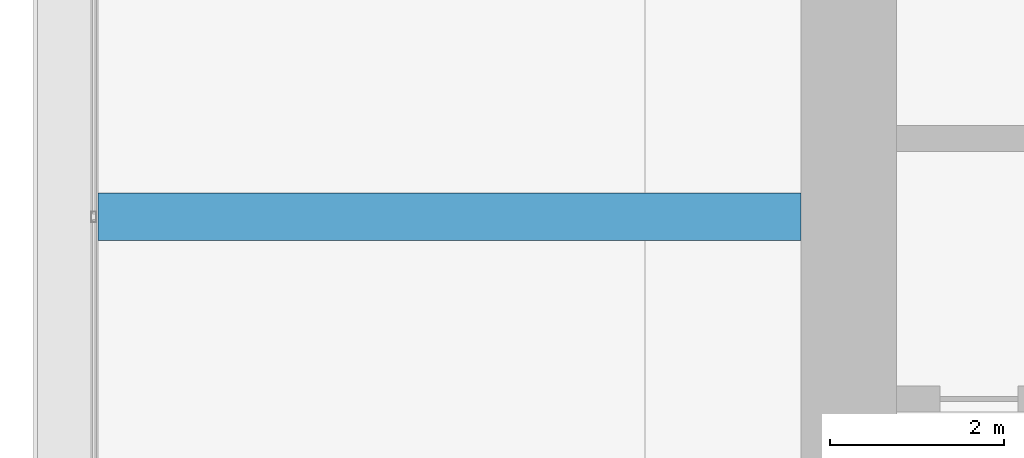
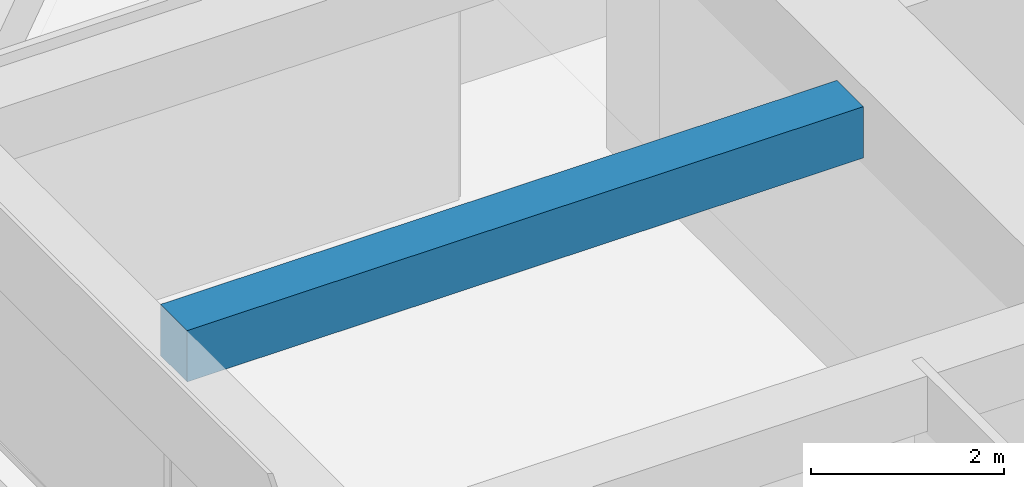
# One storey, part 17 of 45: 1 beam.
"""IFC4 building model written with IfcOpenShell, lengths in metres."""

from ifc_helpers import new_model, si_unit, direction, frame, origin, origin_2d, place, context, subcontext, project, spatial, rectangle, extrude, material, material_profile, profile_set, type_object, element, save


model = new_model("IFC4")

# Units and contexts
model_context = context("Model", 3, precision=1e-05, world=origin(), true_north=direction((0.0, 1.0)))
body_context = subcontext(model_context, "Body", "Model", "MODEL_VIEW")
ifc_project = project(units=[si_unit("LENGTHUNIT", "METRE"), si_unit("AREAUNIT", "SQUARE_METRE"), si_unit("VOLUMEUNIT", "CUBIC_METRE"), si_unit("PLANEANGLEUNIT", "RADIAN"), si_unit("MASSUNIT", "GRAM", prefix="KILO")], contexts=[model_context])

# Site, building, storey
site_placement = place(None, origin())
site = spatial("IfcSite", under=ifc_project, at=site_placement, CompositionType="ELEMENT")
building_placement = place(site_placement, origin())
building = spatial("IfcBuilding", under=site, at=building_placement, Name="Zorevar Civic Tower", CompositionType="ELEMENT")
storey_placement = place(building_placement, frame((0.0, 0.0, 291.39990234375)))
storey = spatial("IfcBuildingStorey", under=building, at=storey_placement, Name="L71", CompositionType="ELEMENT", Elevation=291.39990234375)

# Beam
ifc_material = material(Name="Concrete C50/60", Category="concrete")
ifc_material_profile = material_profile(ifc_material, rectangle(XDim=0.550048828125, YDim=0.64990234375, at=origin_2d()), Name="RC 550x650")
ifc_profile_set = profile_set([ifc_material_profile], Name="Concrete C50/60")
beam_type = type_object("IfcBeamType", Name="Beam RC 550x650", PredefinedType="BEAM", material=ifc_profile_set)
beam_placement = place(storey_placement, frame((9.35009765625, 31.5, 3.425048828125), z_axis=(1.0, 0.0, 0.0), x_axis=(0.0, 1.0, 0.0)))
element("IfcBeam", 1, at=beam_placement, inside=storey, type_object=beam_type, Name="Secondary beam L72", PredefinedType="BEAM", context=body_context, shape_type="SweptSolid", body=[
    extrude(rectangle(XDim=0.550048828125, YDim=0.64990234375, at=origin_2d()), origin(), (0.0, 0.0, 1.0), 8.099853515625),
])

save(model, "model.ifc")
